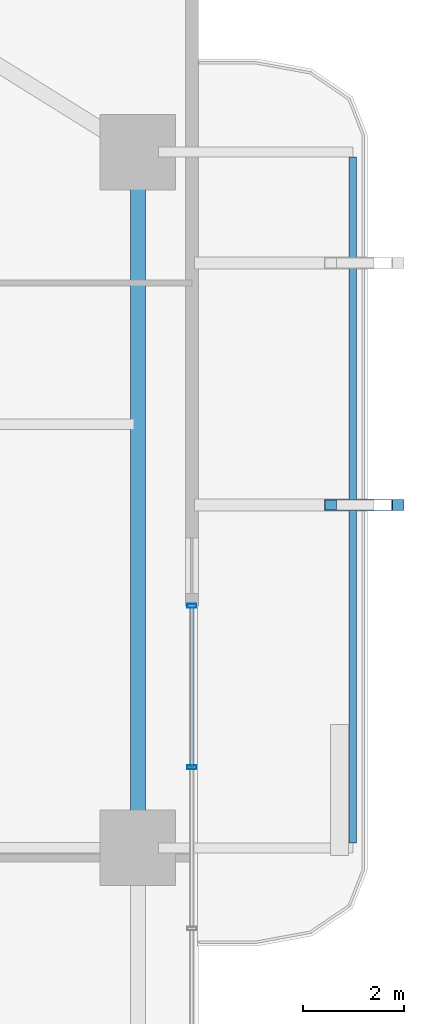
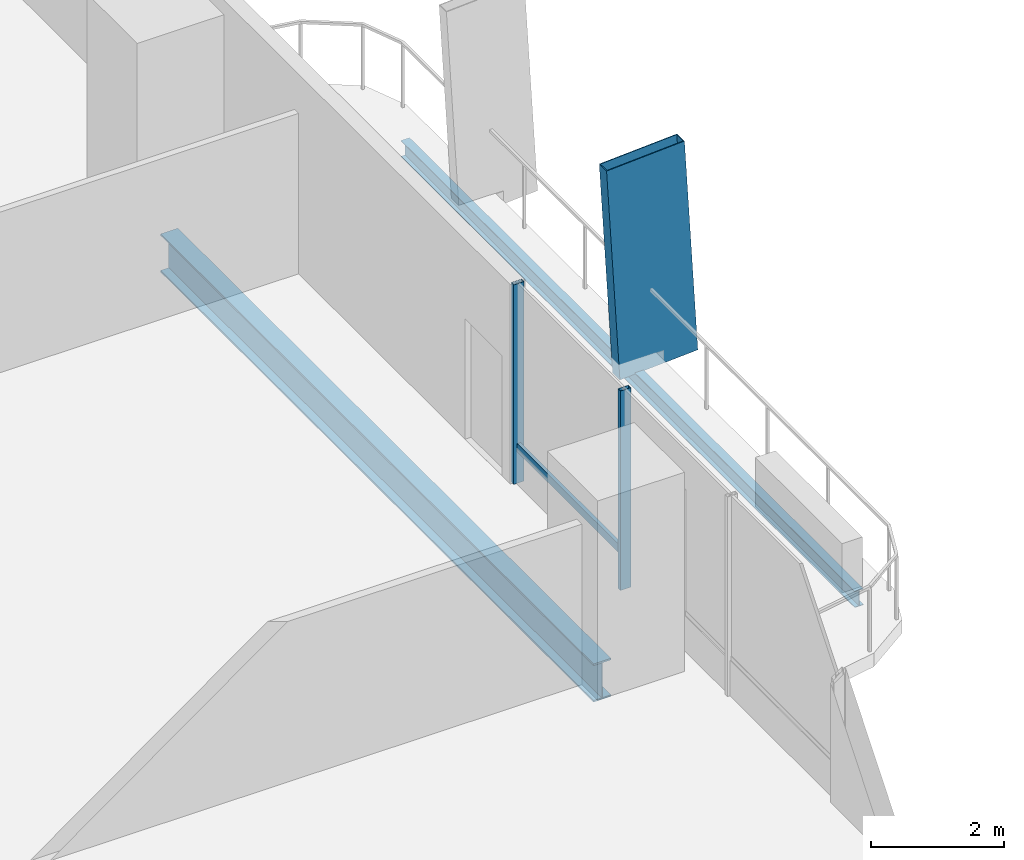
# One storey, part 13 of 24: 4 members, 2 beams, 1 element without a shape of its own.
"""IFC4 building model written with IfcOpenShell, lengths in metres."""

from ifc_helpers import new_model, si_unit, direction, frame, origin, origin_2d, place, context, subcontext, project, spatial, hollow_rectangle, i_section, extrude, material, layer, layer_set, material_profile, profile_set, type_object, element, aggregate, save


model = new_model("IFC4")

# Units and contexts
model_context = context("Model", 3, precision=1e-05, world=origin(), true_north=direction((0.0, 1.0)))
body_context = subcontext(model_context, "Body", "Model", "MODEL_VIEW")
ifc_project = project(units=[si_unit("LENGTHUNIT", "METRE"), si_unit("AREAUNIT", "SQUARE_METRE"), si_unit("VOLUMEUNIT", "CUBIC_METRE"), si_unit("PLANEANGLEUNIT", "RADIAN"), si_unit("MASSUNIT", "GRAM", prefix="KILO")], contexts=[model_context])

# Site, building, storey
site_placement = place(None, origin())
site = spatial("IfcSite", under=ifc_project, at=site_placement, CompositionType="ELEMENT")
building_placement = place(site_placement, origin())
building = spatial("IfcBuilding", under=site, at=building_placement, Name="Belovzor Exchange Tower", CompositionType="ELEMENT")
storey_placement = place(building_placement, frame((0.0, 0.0, 33.89990234375)))
storey = spatial("IfcBuildingStorey", under=building, at=storey_placement, Name="L07", CompositionType="ELEMENT", Elevation=33.89990234375)

# Member
ifc_material_1 = material(Name="Extruded Architectural Terracotta on Steel S355 Carrier", Category="masonry")
ifc_material_profile_1 = material_profile(ifc_material_1, hollow_rectangle(XDim=0.219970703125, YDim=1.35009765625, WallThickness=0.013916015625, at=origin_2d()))
ifc_profile_set_1 = profile_set([ifc_material_profile_1], Name="Extruded Architectural Terracotta on Steel S355 Carrier")
member_type_1 = type_object("IfcMemberType", Name="Base Arc Sweeping Terracotta Pylon Fin 1450", PredefinedType="USERDEFINED", material=ifc_profile_set_1)
member_1_placement = place(storey_placement, frame((60.10400390625, 35.60009765625, -0.25), z_axis=(-0.059113970154, 0.0, 0.998251240186), x_axis=(0.0, -1.0, 0.0)))
element("IfcMember", 1, at=member_1_placement, inside=storey, type_object=member_type_1, Name="FIN-TC145 Terracotta Facade Fin L07 E3", ObjectType="FIN", PredefinedType="USERDEFINED", context=body_context, shape_type="SweptSolid", body=[
    extrude(hollow_rectangle(XDim=0.219970703125, YDim=1.35009765625, WallThickness=0.013916015625, at=origin_2d()), origin(), (0.0, 0.0, 1.0), 3.906982421875),
])

# Beam
ifc_material_2 = material(Name="Steel S355", Category="steel")
ifc_material_profile_2 = material_profile(ifc_material_2, i_section(OverallWidth=0.14990234375, OverallDepth=0.300048828125, WebThickness=0.007080078125, FlangeThickness=0.0107421875, at=origin_2d()))
ifc_profile_set_2 = profile_set([ifc_material_profile_2], Name="Steel S355")
beam_type_1 = type_object("IfcBeamType", Name="Planted Balcony Fascia Edge Beam IPE 300", PredefinedType="BEAM", material=ifc_profile_set_2)
beam_1_placement = place(storey_placement, frame((59.762939453125, 28.89990234375, -0.39990234375), z_axis=(0.0, 1.0, 0.0), x_axis=(-1.0, 0.0, 0.0)))
element("IfcBeam", 2, at=beam_1_placement, inside=storey, type_object=beam_type_1, Name="BC-300 Planted Balcony Fascia Edge Beam IPE 300", PredefinedType="BEAM", context=body_context, shape_type="SweptSolid", body=[
    extrude(i_section(OverallWidth=0.14990234375, OverallDepth=0.300048828125, WebThickness=0.007080078125, FlangeThickness=0.0107421875, at=origin_2d()), origin(), (0.0, 0.0, 1.0), 13.60009765625),
])

# Curtain wall, members
ifc_material_3 = material(Name="Anodised Aluminium Framing", Category="aluminium")
ifc_layer = layer(ifc_material_3, 0.179931640625)
ifc_layer_set = layer_set([ifc_layer], Name="Anodised Aluminium Framing")
curtain_wall_type = type_object("IfcCurtainWallType", Name="Recessed Loggia Low-Iron Triple-Glazed Curtain Wall", PredefinedType="NOTDEFINED", material=ifc_layer_set)
curtain_wall_placement = place(storey_placement, origin())
curtain_wall = element("IfcCurtainWall", 3, at=curtain_wall_placement, inside=storey, type_object=curtain_wall_type, Name="CW3 Recessed Loggia Low-Iron Triple-Glazed Curtain Wall L07", PredefinedType="NOTDEFINED")
ifc_material_4 = material(Name="Steel S355", Category="steel")
ifc_material_profile_3 = material_profile(ifc_material_4, hollow_rectangle(XDim=0.074951171875, YDim=0.179931640625, WallThickness=0.0048828125, at=origin_2d()))
ifc_profile_set_3 = profile_set([ifc_material_profile_3], Name="Steel S355")
member_type_2 = type_object("IfcMemberType", Name="Thermally Broken Curtain Wall Mullion 180x75", PredefinedType="MULLION", material=ifc_profile_set_3)
member_2_placement = place(storey_placement, frame((56.570068359375, 33.60009765625, 0.0), z_axis=(0.0, 0.0, 1.0), x_axis=(0.0, -1.0, 0.0)))
member_2 = element("IfcMember", 4, at=member_2_placement, type_object=member_type_2, Name="CW-M180 Curtain Wall Mullion 1", PredefinedType="MULLION", context=body_context, shape_type="SweptSolid", body=[
    extrude(hollow_rectangle(XDim=0.074951171875, YDim=0.179931640625, WallThickness=0.0048828125, at=origin_2d()), origin(), (0.0, 0.0, 1.0), 3.650146484375),
])
member_3_placement = place(storey_placement, frame((56.570068359375, 30.39990234375, 0.0), z_axis=(0.0, 0.0, 1.0), x_axis=(0.0, -1.0, 0.0)))
member_3 = element("IfcMember", 5, at=member_3_placement, type_object=member_type_2, Name="CW-M180 Curtain Wall Mullion 2", PredefinedType="MULLION", context=body_context, shape_type="SweptSolid", body=[
    extrude(hollow_rectangle(XDim=0.074951171875, YDim=0.179931640625, WallThickness=0.0048828125, at=origin_2d()), origin(), (0.0, 0.0, 1.0), 3.650146484375),
])
ifc_material_5 = material(Name="Steel S355", Category="steel")
ifc_material_profile_4 = material_profile(ifc_material_5, hollow_rectangle(XDim=0.06005859375, YDim=0.14990234375, WallThickness=0.00390625, at=origin_2d()))
ifc_profile_set_4 = profile_set([ifc_material_profile_4], Name="Steel S355")
member_type_3 = type_object("IfcMemberType", Name="Thermally Broken Curtain Wall Transom 150x60", PredefinedType="USERDEFINED", material=ifc_profile_set_4)
member_4_placement = place(storey_placement, frame((56.570068359375, 33.592041015625, 0.650146484375), z_axis=(0.0, -1.0, 0.0), x_axis=(1.0, 0.0, 0.0)))
member_4 = element("IfcMember", 6, at=member_4_placement, type_object=member_type_3, Name="CW-T150 Curtain Wall Transom 1", ObjectType="TRANSOM", PredefinedType="USERDEFINED", context=body_context, shape_type="SweptSolid", body=[
    extrude(hollow_rectangle(XDim=0.06005859375, YDim=0.14990234375, WallThickness=0.00390625, at=origin_2d()), origin(), (0.0, 0.0, 1.0), 3.18408203125),
])
aggregate(curtain_wall, [member_2, member_3, member_4])

# Beam
ifc_material_6 = material(Name="Steel S355", Category="steel")
ifc_material_profile_5 = material_profile(ifc_material_6, i_section(OverallWidth=0.300048828125, OverallDepth=0.699951171875, WebThickness=0.01708984375, FlangeThickness=0.031982421875, at=origin_2d()))
ifc_profile_set_5 = profile_set([ifc_material_profile_5], Name="Steel S355")
beam_type_2 = type_object("IfcBeamType", Name="Zone 1 Primary Perimeter Girder HEB 700", PredefinedType="BEAM", material=ifc_profile_set_5)
beam_2_placement = place(storey_placement, frame((55.5, 29.212890625, -0.599853515625), z_axis=(0.0, 1.0, 0.0), x_axis=(-1.0, 0.0, 0.0)))
element("IfcBeam", 7, at=beam_2_placement, inside=storey, type_object=beam_type_2, Name="FG-Z1 Zone 1 Primary Perimeter Girder HEB 700", PredefinedType="BEAM", context=body_context, shape_type="SweptSolid", body=[
    extrude(i_section(OverallWidth=0.300048828125, OverallDepth=0.699951171875, WebThickness=0.01708984375, FlangeThickness=0.031982421875, at=origin_2d()), origin(), (0.0, 0.0, 1.0), 12.97509765625),
])

save(model, "model.ifc")
